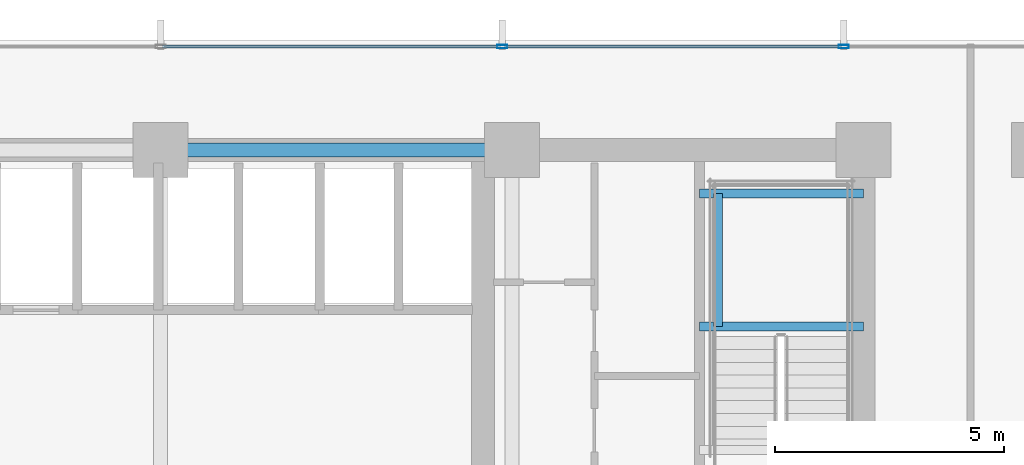
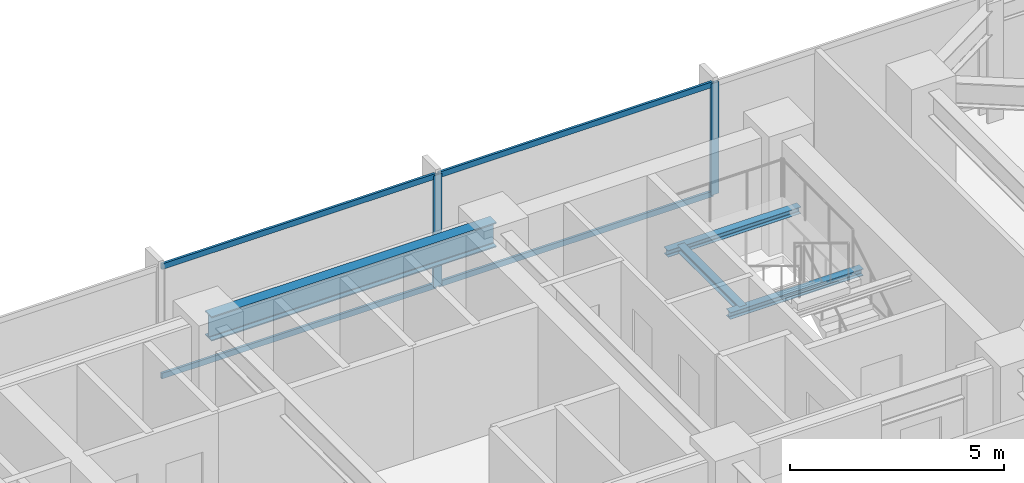
# One storey, part 19 of 33: 6 members, 4 beams, 1 element without a shape of its own.
"""IFC4 building model written with IfcOpenShell, lengths in metres."""

from ifc_helpers import new_model, si_unit, direction, frame, origin, origin_2d, place, context, subcontext, project, spatial, hollow_rectangle, i_section, extrude, material, material_profile, profile_set, type_object, element, aggregate, save


model = new_model("IFC4")

# Units and contexts
model_context = context("Model", 3, precision=1e-05, world=origin(), true_north=direction((0.0, 1.0)))
body_context = subcontext(model_context, "Body", "Model", "MODEL_VIEW")
ifc_project = project(units=[si_unit("LENGTHUNIT", "METRE"), si_unit("AREAUNIT", "SQUARE_METRE"), si_unit("VOLUMEUNIT", "CUBIC_METRE"), si_unit("PLANEANGLEUNIT", "RADIAN"), si_unit("MASSUNIT", "GRAM", prefix="KILO")], contexts=[model_context])

# Site, building, storey
site_placement = place(None, origin())
site = spatial("IfcSite", under=ifc_project, at=site_placement, CompositionType="ELEMENT")
building_placement = place(site_placement, origin())
building = spatial("IfcBuilding", under=site, at=building_placement, Name="Yelkora Congress Tower", CompositionType="ELEMENT")
storey_placement = place(building_placement, frame((0.0, 0.0, 37.199951171875)))
storey = spatial("IfcBuildingStorey", under=building, at=storey_placement, Name="L08", CompositionType="ELEMENT", Elevation=37.199951171875)

# Beams
ifc_material_1 = material(Name="Steel S355J2", Category="steel")
ifc_material_profile_1 = material_profile(ifc_material_1, i_section(OverallWidth=0.300048828125, OverallDepth=0.699951171875, WebThickness=0.01708984375, FlangeThickness=0.031982421875, FilletRadius=0.027099609375, at=origin_2d()), Name="HEB 700")
ifc_profile_set_1 = profile_set([ifc_material_profile_1], Name="Steel S355J2")
beam_type_1 = type_object("IfcBeamType", Name="BM-GIRD-HEB700", PredefinedType="BEAM", material=ifc_profile_set_1)
beam_1_placement = place(storey_placement, frame((38.39990234375, 46.199951171875, 2.830078125), z_axis=(1.0, 0.0, 0.0), x_axis=(0.0, 1.0, 0.0)))
element("IfcBeam", 1, at=beam_1_placement, inside=storey, type_object=beam_type_1, Name="L08 Core North Girder 4", PredefinedType="BEAM", context=body_context, shape_type="SweptSolid", body=[
    extrude(i_section(OverallWidth=0.300048828125, OverallDepth=0.699951171875, WebThickness=0.01708984375, FlangeThickness=0.031982421875, FilletRadius=0.027099609375, at=origin_2d()), origin(), (0.0, 0.0, 1.0), 7.68017578125),
])
ifc_material_profile_2 = material_profile(ifc_material_1, i_section(OverallWidth=0.199951171875, OverallDepth=0.18994140625, WebThickness=0.006591796875, FlangeThickness=0.010009765625, FilletRadius=0.01806640625, at=origin_2d()), Name="HEA 200")
ifc_profile_set_2 = profile_set([ifc_material_profile_2], Name="Steel S355J2")
beam_type_2 = type_object("IfcBeamType", Name="BM-LAND-HEA200", PredefinedType="BEAM", material=ifc_profile_set_2)
for number, where, z_axis, x_axis, name in (
    (2, (50.179931640625, 42.340087890625, 1.384765625), (1.0, 0.0, 0.0), (0.0, 1.0, 0.0), "ST-02 L08 Landing Header Beam 1S"),
    (3, (50.179931640625, 45.25, 1.384765625), (1.0, 0.0, 0.0), (0.0, 1.0, 0.0), "ST-02 L08 Landing Header Beam 1N"),
):
    element("IfcBeam", number, at=place(storey_placement, frame(where, z_axis=z_axis, x_axis=x_axis)), inside=storey, type_object=beam_type_2, Name=name, PredefinedType="BEAM", context=body_context, shape_type="SweptSolid", body=[
        extrude(i_section(OverallWidth=0.199951171875, OverallDepth=0.18994140625, WebThickness=0.006591796875, FlangeThickness=0.010009765625, FilletRadius=0.01806640625, at=origin_2d()), origin(), (0.0, 0.0, 1.0), 3.580078125),
    ])
beam_2_placement = place(storey_placement, frame((50.580078125, 42.340087890625, 1.384765625), z_axis=(0.0, 1.0, 0.0), x_axis=(-1.0, 0.0, 0.0)))
element("IfcBeam", 4, at=beam_2_placement, inside=storey, type_object=beam_type_2, Name="ST-02 L08 Landing Trimmer Beam 1M", PredefinedType="BEAM", context=body_context, shape_type="SweptSolid", body=[
    extrude(i_section(OverallWidth=0.199951171875, OverallDepth=0.18994140625, WebThickness=0.006591796875, FlangeThickness=0.010009765625, FilletRadius=0.01806640625, at=origin_2d()), origin(), (0.0, 0.0, 1.0), 2.909912109375),
])

# Curtain wall, members
ifc_material_2 = material(Name="Anodised aluminium and insulated glass", Category="aluminium")
curtain_wall_type = type_object("IfcCurtainWallType", Name="CW-SYS-B1", PredefinedType="NOTDEFINED", material=ifc_material_2)
curtain_wall_placement = place(storey_placement, origin())
curtain_wall = element("IfcCurtainWall", 5, at=curtain_wall_placement, inside=storey, type_object=curtain_wall_type, Name="L08 Unitised Curtain Wall 10", PredefinedType="NOTDEFINED")
ifc_material_3 = material(Name="Anodised aluminium 6063-T6", Category="aluminium")
ifc_material_profile_3 = material_profile(ifc_material_3, hollow_rectangle(XDim=0.074951171875, YDim=0.219970703125, WallThickness=0.0048828125, at=origin_2d()), Name="ALU 75x220x5")
ifc_profile_set_3 = profile_set([ifc_material_profile_3], Name="Anodised aluminium 6063-T6")
member_type_1 = type_object("IfcMemberType", Name="MEM-ML-B1", PredefinedType="MULLION", material=ifc_profile_set_3)
member_1_placement = place(storey_placement, frame((45.864990234375, 48.4599609375, 0.0), z_axis=(0.0, 0.0, 1.0), x_axis=(0.0, 1.0, 0.0)))
member_1 = element("IfcMember", 6, at=member_1_placement, type_object=member_type_1, Name="CW-B1 mullion 6", PredefinedType="MULLION", context=body_context, shape_type="SweptSolid", body=[
    extrude(hollow_rectangle(XDim=0.074951171875, YDim=0.219970703125, WallThickness=0.0048828125, at=origin_2d()), origin(), (0.0, 0.0, 1.0), 3.179931640625),
])
member_2_placement = place(storey_placement, frame((53.330078125, 48.4599609375, 0.0), z_axis=(0.0, 0.0, 1.0), x_axis=(0.0, 1.0, 0.0)))
member_2 = element("IfcMember", 7, at=member_2_placement, type_object=member_type_1, Name="CW-B1 mullion 7", PredefinedType="MULLION", context=body_context, shape_type="SweptSolid", body=[
    extrude(hollow_rectangle(XDim=0.074951171875, YDim=0.219970703125, WallThickness=0.0048828125, at=origin_2d()), origin(), (0.0, 0.0, 1.0), 3.179931640625),
])
ifc_material_profile_4 = material_profile(ifc_material_3, hollow_rectangle(XDim=0.06494140625, YDim=0.159912109375, WallThickness=0.00390625, at=origin_2d()), Name="ALU 65x160x4")
ifc_profile_set_4 = profile_set([ifc_material_profile_4], Name="Anodised aluminium 6063-T6")
member_type_2 = type_object("IfcMemberType", Name="MEM-TR-B1", PredefinedType="USERDEFINED", material=ifc_profile_set_4)
member_3_placement = place(storey_placement, frame((38.4375, 48.4599609375, 0.032470703125), z_axis=(1.0, 0.0, 0.0), x_axis=(0.0, 1.0, 0.0)))
member_3 = element("IfcMember", 8, at=member_3_placement, type_object=member_type_2, Name="CW-B1 transom 5.1", ObjectType="TRANSOM", PredefinedType="USERDEFINED", context=body_context, shape_type="SweptSolid", body=[
    extrude(hollow_rectangle(XDim=0.06494140625, YDim=0.159912109375, WallThickness=0.00390625, at=origin_2d()), origin(), (0.0, 0.0, 1.0), 7.389892578125),
])
member_4_placement = place(storey_placement, frame((38.4375, 48.4599609375, 3.1474609375), z_axis=(1.0, 0.0, 0.0), x_axis=(0.0, 1.0, 0.0)))
member_4 = element("IfcMember", 9, at=member_4_placement, type_object=member_type_2, Name="CW-B1 transom 5.2", ObjectType="TRANSOM", PredefinedType="USERDEFINED", context=body_context, shape_type="SweptSolid", body=[
    extrude(hollow_rectangle(XDim=0.06494140625, YDim=0.159912109375, WallThickness=0.00390625, at=origin_2d()), origin(), (0.0, 0.0, 1.0), 7.389892578125),
])
member_5_placement = place(storey_placement, frame((45.902587890625, 48.4599609375, 0.032470703125), z_axis=(1.0, 0.0, 0.0), x_axis=(0.0, 1.0, 0.0)))
member_5 = element("IfcMember", 10, at=member_5_placement, type_object=member_type_2, Name="CW-B1 transom 6.1", ObjectType="TRANSOM", PredefinedType="USERDEFINED", context=body_context, shape_type="SweptSolid", body=[
    extrude(hollow_rectangle(XDim=0.06494140625, YDim=0.159912109375, WallThickness=0.00390625, at=origin_2d()), origin(), (0.0, 0.0, 1.0), 7.389892578125),
])
member_6_placement = place(storey_placement, frame((45.902587890625, 48.4599609375, 3.1474609375), z_axis=(1.0, 0.0, 0.0), x_axis=(0.0, 1.0, 0.0)))
member_6 = element("IfcMember", 11, at=member_6_placement, type_object=member_type_2, Name="CW-B1 transom 6.2", ObjectType="TRANSOM", PredefinedType="USERDEFINED", context=body_context, shape_type="SweptSolid", body=[
    extrude(hollow_rectangle(XDim=0.06494140625, YDim=0.159912109375, WallThickness=0.00390625, at=origin_2d()), origin(), (0.0, 0.0, 1.0), 7.389892578125),
])
aggregate(curtain_wall, [member_1, member_2, member_3, member_4, member_5, member_6])

save(model, "model.ifc")
